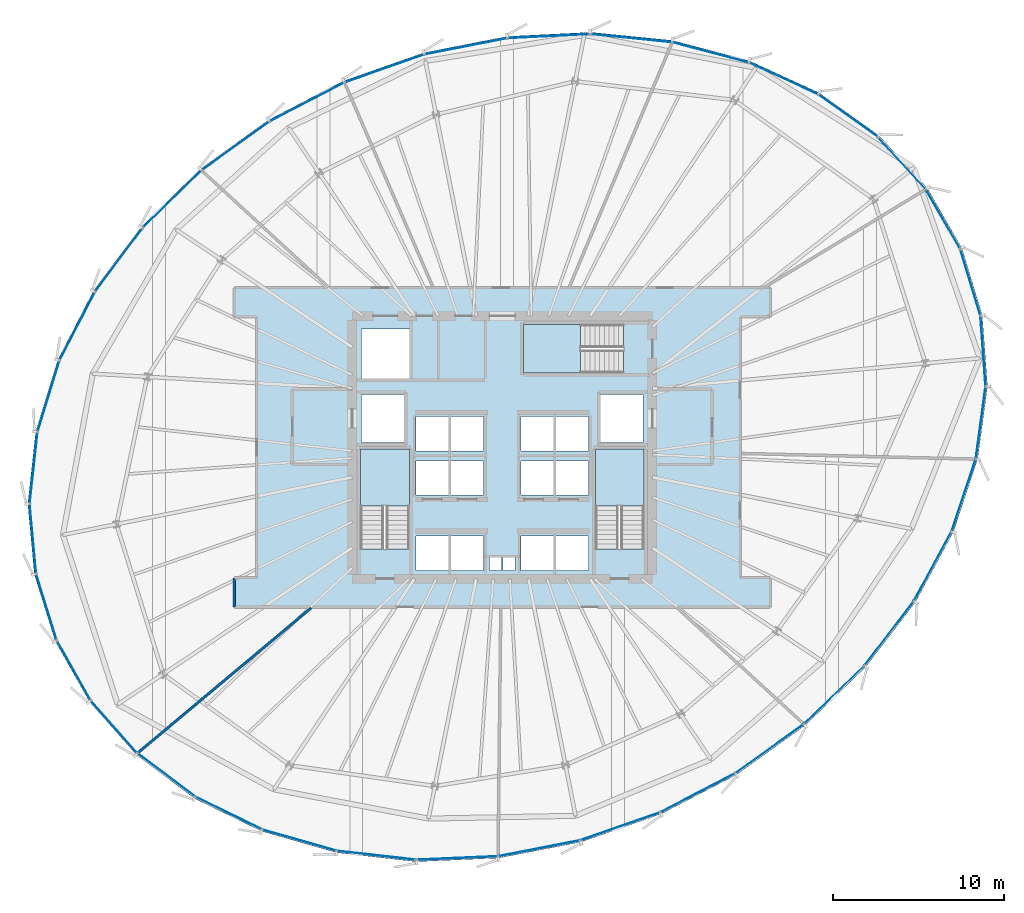
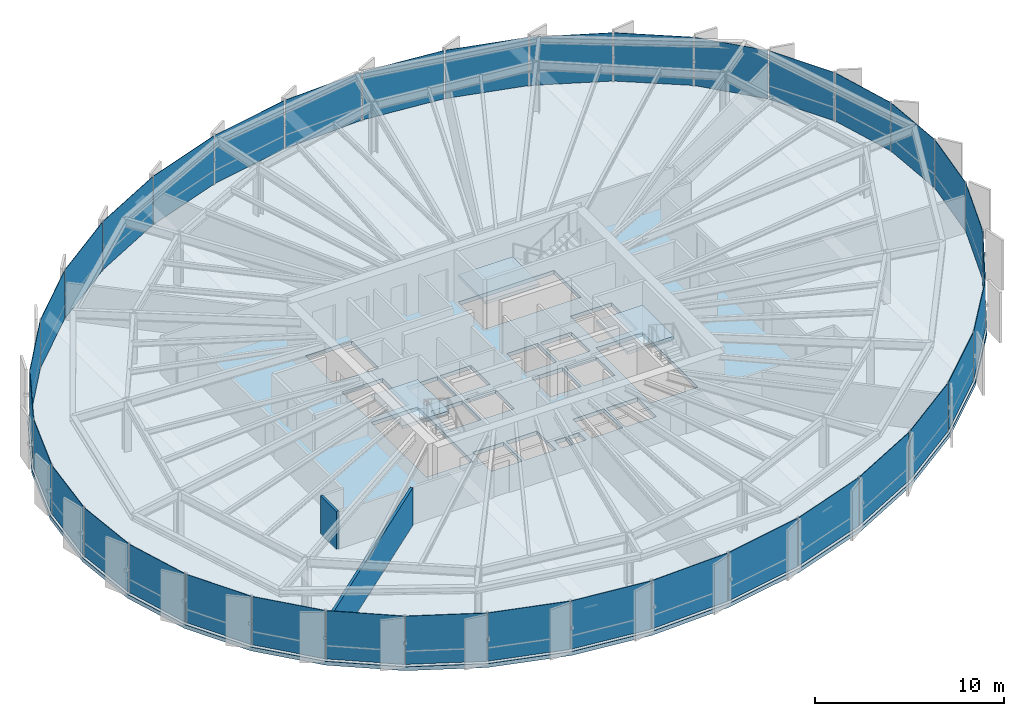
# One storey, part 27 of 34: 36 plates, 4 slabs, 2 walls, 9 elements without a shape of their own.
"""IFC4 building model written with IfcOpenShell, lengths in metres."""

from ifc_helpers import new_model, si_unit, direction, frame, frame_2d, origin, origin_2d, place, context, subcontext, project, spatial, polyline, rectangle, outline, extrude, source, transform, mapped, material, layer, layer_set, type_object, element, aggregate, save


model = new_model("IFC4")

# Units and contexts
model_context = context("Model", 3, precision=1e-05, world=origin(), true_north=direction((0.0, 1.0)))
body_context = subcontext(model_context, "Body", "Model", "MODEL_VIEW")
ifc_project = project(units=[si_unit("LENGTHUNIT", "METRE"), si_unit("AREAUNIT", "SQUARE_METRE"), si_unit("VOLUMEUNIT", "CUBIC_METRE"), si_unit("PLANEANGLEUNIT", "RADIAN"), si_unit("MASSUNIT", "GRAM", prefix="KILO"), si_unit("THERMODYNAMICTEMPERATUREUNIT", "KELVIN")], contexts=[model_context])

# Site, building, storey
site_placement = place(None, origin())
site = spatial("IfcSite", under=ifc_project, at=site_placement, CompositionType="ELEMENT")
building_placement = place(site_placement, origin())
building = spatial("IfcBuilding", under=site, at=building_placement, Name="Kethvar Cultural Tower", CompositionType="ELEMENT")
storey_placement = place(building_placement, frame((0.0, 0.0, 128.800048828125)))
storey = spatial("IfcBuildingStorey", under=building, at=storey_placement, Name="L32", CompositionType="ELEMENT", Elevation=128.800048828125)

# Stair, slab
ifc_material_1 = material(Name="Concrete C40/50", Category="concrete")
stair_type = type_object("IfcStairType", Name="ST-DOGLEG-135", PredefinedType="HALF_TURN_STAIR", material=ifc_material_1)
stair_1_placement = place(storey_placement, origin())
stair_1 = element("IfcStair", 1, at=stair_1_placement, inside=storey, type_object=stair_type, Name="L32 Core Exit Stair 1", PredefinedType="HALF_TURN_STAIR")
ifc_layer_1 = layer(ifc_material_1, 0.199951171875, Name="Concrete C40/50", Category="concrete")
ifc_layer_set_1 = layer_set([ifc_layer_1], Name="Concrete C40/50 (200 mm)")
slab_type_1 = type_object("IfcSlabType", Name="SL-STAIR-LANDING-200", PredefinedType="LANDING", material=ifc_layer_set_1)
slab_1_placement = place(storey_placement, frame((0.0, 0.0, 1.574951171875)))
slab_1 = element("IfcSlab", 2, at=slab_1_placement, type_object=slab_type_1, Name="ST-01 landing 1", PredefinedType="LANDING", context=body_context, shape_type="SweptSolid", body=[
    extrude(outline(polyline([(41.35009765625, 24.3701171875), (41.35009765625, 27.699951171875), (38.489990234375, 27.699951171875), (38.489990234375, 24.3701171875), (41.35009765625, 24.3701171875)])), origin(), (0.0, 0.0, 1.0), 0.199951171875),
])
aggregate(stair_1, [slab_1])

stair_2_placement = place(storey_placement, origin())
stair_2 = element("IfcStair", 3, at=stair_2_placement, inside=storey, type_object=stair_type, Name="L32 Core Exit Stair 2", PredefinedType="HALF_TURN_STAIR")
slab_2_placement = place(storey_placement, frame((0.0, 0.0, 1.574951171875)))
slab_2 = element("IfcSlab", 4, at=slab_2_placement, type_object=slab_type_1, Name="ST-02 landing 1", PredefinedType="LANDING", context=body_context, shape_type="SweptSolid", body=[
    extrude(outline(polyline([(55.110107421875, 24.3701171875), (55.110107421875, 27.699951171875), (52.25, 27.699951171875), (52.25, 24.3701171875), (55.110107421875, 24.3701171875)])), origin(), (0.0, 0.0, 1.0), 0.199951171875),
])
aggregate(stair_2, [slab_2])

stair_3_placement = place(storey_placement, origin())
stair_3 = element("IfcStair", 5, at=stair_3_placement, inside=storey, type_object=stair_type, Name="L32 Core Exit Stair 3", PredefinedType="HALF_TURN_STAIR")
slab_3_placement = place(storey_placement, frame((0.0, 0.0, 1.574951171875)))
slab_3 = element("IfcSlab", 6, at=slab_3_placement, type_object=slab_type_1, Name="ST-03 landing 1", PredefinedType="LANDING", context=body_context, shape_type="SweptSolid", body=[
    extrude(outline(polyline([(51.3798828125, 35.010009765625), (48.050048828125, 35.010009765625), (48.050048828125, 32.14990234375), (51.3798828125, 32.14990234375), (51.3798828125, 35.010009765625)])), origin(), (0.0, 0.0, 1.0), 0.199951171875),
])
aggregate(stair_3, [slab_3])

# Slab
ifc_layer_2 = layer(ifc_material_1, 0.25, Name="Concrete C40/50", Category="concrete")
ifc_layer_set_2 = layer_set([ifc_layer_2], Name="Concrete C40/50 (250 mm)")
slab_type_2 = type_object("IfcSlabType", Name="SL-TOW-250", PredefinedType="FLOOR", material=ifc_layer_set_2)
slab_4_placement = place(storey_placement, frame((0.0, 0.0, -0.25)))
element("IfcSlab", 7, at=slab_4_placement, inside=storey, type_object=slab_type_2, Name="L32 Structural Floor Slab", PredefinedType="FLOOR", context=body_context, shape_type="SweptSolid", body=[
    extrude(outline(polyline([(73.7470703125, 39.4609375), (71.70654296875, 43.00830078125), (68.8798828125, 46.080810546875), (65.364013671875, 48.589599609375), (61.280029296875, 50.46533203125), (56.76904296875, 51.65771484375), (51.983154296875, 52.137451171875), (47.077392578125, 51.89404296875), (42.203369140625, 50.935791015625), (37.501220703125, 49.28857421875), (33.090576171875, 46.992431640625), (29.096435546875, 44.113037109375), (25.640380859375, 40.738037109375), (22.827392578125, 36.969970703125), (20.74267578125, 32.923095703125), (19.44970703125, 28.720703125), (18.987548828125, 24.490234375), (19.37060546875, 20.360595703125), (20.587158203125, 16.456787109375), (22.60009765625, 12.897705078125), (25.348388671875, 9.791259765625), (28.74853515625, 7.232177734375), (32.697021484375, 5.2978515625), (37.07421875, 4.047607421875), (41.74658203125, 3.518798828125), (46.57275390625, 3.727783203125), (51.406005859375, 4.668212890625), (56.098876953125, 6.311279296875), (60.518798828125, 8.611572265625), (64.5537109375, 11.5087890625), (68.08935546875, 14.918212890625), (71.015869140625, 18.7353515625), (73.234619140625, 22.840087890625), (74.662841796875, 27.10107421875), (75.240966796875, 31.381591796875), (74.93603515625, 35.54541015625), (73.7470703125, 39.4609375)]), holes=[polyline([(38.489990234375, 21.85009765625), (38.489990234375, 27.699951171875), (41.35009765625, 27.699951171875), (41.35009765625, 21.85009765625), (38.489990234375, 21.85009765625)]), polyline([(52.25, 21.85009765625), (52.25, 27.699951171875), (55.110107421875, 27.699951171875), (55.110107421875, 21.85009765625), (52.25, 21.85009765625)]), polyline([(53.89990234375, 32.14990234375), (48.050048828125, 32.14990234375), (48.050048828125, 35.010009765625), (53.89990234375, 35.010009765625), (53.89990234375, 32.14990234375)]), polyline([(41.75, 22.60009765625), (43.64990234375, 22.60009765625), (43.64990234375, 20.60009765625), (41.75, 20.60009765625), (41.75, 22.60009765625)]), polyline([(43.800048828125, 22.60009765625), (45.699951171875, 22.60009765625), (45.699951171875, 20.60009765625), (43.800048828125, 20.60009765625), (43.800048828125, 22.60009765625)]), polyline([(47.89990234375, 22.60009765625), (49.800048828125, 22.60009765625), (49.800048828125, 20.60009765625), (47.89990234375, 20.60009765625), (47.89990234375, 22.60009765625)]), polyline([(49.949951171875, 22.60009765625), (51.85009765625, 22.60009765625), (51.85009765625, 20.60009765625), (49.949951171875, 20.60009765625), (49.949951171875, 22.60009765625)]), polyline([(41.75, 27.0), (43.64990234375, 27.0), (43.64990234375, 25.0), (41.75, 25.0), (41.75, 27.0)]), polyline([(43.800048828125, 27.0), (45.699951171875, 27.0), (45.699951171875, 25.0), (43.800048828125, 25.0), (43.800048828125, 27.0)]), polyline([(47.89990234375, 27.0), (49.800048828125, 27.0), (49.800048828125, 25.0), (47.89990234375, 25.0), (47.89990234375, 27.0)]), polyline([(49.949951171875, 27.0), (51.85009765625, 27.0), (51.85009765625, 25.0), (49.949951171875, 25.0), (49.949951171875, 27.0)]), polyline([(41.75, 29.60009765625), (43.64990234375, 29.60009765625), (43.64990234375, 27.60009765625), (41.75, 27.60009765625), (41.75, 29.60009765625)]), polyline([(43.800048828125, 29.60009765625), (45.699951171875, 29.60009765625), (45.699951171875, 27.60009765625), (43.800048828125, 27.60009765625), (43.800048828125, 29.60009765625)]), polyline([(47.89990234375, 29.60009765625), (49.800048828125, 29.60009765625), (49.800048828125, 27.60009765625), (47.89990234375, 27.60009765625), (47.89990234375, 29.60009765625)]), polyline([(49.949951171875, 29.60009765625), (51.85009765625, 29.60009765625), (51.85009765625, 27.60009765625), (49.949951171875, 27.60009765625), (49.949951171875, 29.60009765625)]), polyline([(38.550048828125, 30.89990234375), (41.050048828125, 30.89990234375), (41.050048828125, 28.10009765625), (38.550048828125, 28.10009765625), (38.550048828125, 30.89990234375)]), polyline([(52.550048828125, 30.89990234375), (55.050048828125, 30.89990234375), (55.050048828125, 28.10009765625), (52.550048828125, 28.10009765625), (52.550048828125, 30.89990234375)]), polyline([(38.550048828125, 34.75), (41.35009765625, 34.75), (41.35009765625, 31.85009765625), (38.550048828125, 31.85009765625), (38.550048828125, 34.75)]), polyline([(46.050048828125, 21.35009765625), (46.75, 21.35009765625), (46.75, 20.60009765625), (46.050048828125, 20.60009765625), (46.050048828125, 21.35009765625)]), polyline([(46.85009765625, 21.35009765625), (47.550048828125, 21.35009765625), (47.550048828125, 20.60009765625), (46.85009765625, 20.60009765625), (46.85009765625, 21.35009765625)])]), origin(), (0.0, 0.0, 1.0), 0.25),
])

# Curtain wall, plate
ifc_material_2 = material(Name="Aluminium 6063-T6", Category="aluminium")
ifc_layer_3 = layer(ifc_material_2, 0.179931640625, Name="Aluminium 6063-T6", Category="aluminium")
ifc_layer_set_3 = layer_set([ifc_layer_3], Name="Aluminium 6063-T6 (180 mm)")
curtain_wall_type = type_object("IfcCurtainWallType", Name="CW-SYS-04-Z34", PredefinedType="NOTDEFINED", material=ifc_layer_set_3)
curtain_wall_1_placement = place(storey_placement, origin())
curtain_wall_1 = element("IfcCurtainWall", 8, at=curtain_wall_1_placement, inside=storey, type_object=curtain_wall_type, Name="L32 Curtain Wall Run 01", PredefinedType="NOTDEFINED")
ifc_material_3 = material(Name="Insulated Low-E Solar Glass", Category="glass")
ifc_layer_4 = layer(ifc_material_3, 0.030029296875, Name="Insulated Low-E Solar Glass", Category="glass")
ifc_layer_set_4 = layer_set([ifc_layer_4], Name="Insulated Low-E Solar Glass (30 mm)")
plate_type = type_object("IfcPlateType", Name="CW-SYS-04-Z34-PNL", PredefinedType="CURTAIN_PANEL", material=ifc_layer_set_4)
shared_shape_1 = source(origin(), body_context, "Body", "SweptSolid", [
    extrude(rectangle(XDim=4.005859375, YDim=0.030029296875, at=origin_2d()), origin(), (0.0, 0.0, 1.0), 3.1201171875),
])
plate_1_placement = place(storey_placement, frame((72.63134765625, 41.1796875, 0.08984375), z_axis=(0.0, 0.0, 1.0), x_axis=(-0.498623905426, 0.86681843597, 0.0)))
plate_1 = element("IfcPlate", 9, at=plate_1_placement, type_object=plate_type, Name="CW-L32-R01 Vision Glazing Panel 1", PredefinedType="CURTAIN_PANEL", context=body_context, shape_type="MappedRepresentation", body=[
    mapped(shared_shape_1, transform((0.0, 0.0, 0.0), scale=1.0)),
])

curtain_wall_2_placement = place(storey_placement, origin())
curtain_wall_2 = element("IfcCurtainWall", 10, at=curtain_wall_2_placement, inside=storey, type_object=curtain_wall_type, Name="L32 Curtain Wall Run 06", PredefinedType="NOTDEFINED")
plate_2_placement = place(storey_placement, frame((74.236328125, 37.47119140625, 0.08984375), z_axis=(0.0, 0.0, 1.0), x_axis=(-0.290551894086, 0.956859235647, 0.0)))
plate_2 = element("IfcPlate", 11, at=plate_2_placement, type_object=plate_type, Name="CW-L32-R06 Vision Glazing Panel 6", PredefinedType="CURTAIN_PANEL", context=body_context, shape_type="MappedRepresentation", body=[
    mapped(shared_shape_1, transform((0.0, 0.0, 0.0), scale=1.0)),
])

# Plate
shared_shape_2 = source(origin(), body_context, "Body", "SweptSolid", [
    extrude(rectangle(XDim=4.08837890625, YDim=0.030029296875, at=origin_2d()), origin(), (0.0, 0.0, 1.0), 3.1201171875),
])
plate_3_placement = place(storey_placement, frame((70.21240234375, 44.469970703125, 0.08984375), z_axis=(0.0, 0.0, 1.0), x_axis=(-0.677030122649, 0.735955306405, 0.0)))
plate_3 = element("IfcPlate", 12, at=plate_3_placement, type_object=plate_type, Name="CW-L32-R01 Vision Glazing Panel 2", PredefinedType="CURTAIN_PANEL", context=body_context, shape_type="MappedRepresentation", body=[
    mapped(shared_shape_2, transform((0.0, 0.0, 0.0), scale=1.0)),
])

plate_4_placement = place(storey_placement, frame((74.978759765625, 33.455322265625, 0.08984375), z_axis=(0.0, 0.0, 1.0), x_axis=(-0.073029318467, 0.997329794323, 0.0)))
plate_4 = element("IfcPlate", 13, at=plate_4_placement, type_object=plate_type, Name="CW-L32-R06 Vision Glazing Panel 5", PredefinedType="CURTAIN_PANEL", context=body_context, shape_type="MappedRepresentation", body=[
    mapped(shared_shape_2, transform((0.0, 0.0, 0.0), scale=1.0)),
])

shared_shape_3 = source(origin(), body_context, "Body", "SweptSolid", [
    extrude(rectangle(XDim=4.23291015625, YDim=0.030029296875, at=origin_2d()), origin(), (0.0, 0.0, 1.0), 3.1201171875),
])
plate_5_placement = place(storey_placement, frame((67.05810546875, 47.24560546875, 0.08984375), z_axis=(0.0, 0.0, 1.0), x_axis=(-0.814014154172, 0.580845036828, 0.0)))
plate_5 = element("IfcPlate", 14, at=plate_5_placement, type_object=plate_type, Name="CW-L32-R01 Vision Glazing Panel 3", PredefinedType="CURTAIN_PANEL", context=body_context, shape_type="MappedRepresentation", body=[
    mapped(shared_shape_3, transform((0.0, 0.0, 0.0), scale=1.0)),
])

shared_shape_4 = source(origin(), body_context, "Body", "SweptSolid", [
    extrude(rectangle(XDim=4.40771484375, YDim=0.030029296875, at=origin_2d()), origin(), (0.0, 0.0, 1.0), 3.1201171875),
])
plate_6_placement = place(storey_placement, frame((63.27587890625, 49.427490234375, 0.08984375), z_axis=(0.0, 0.0, 1.0), x_axis=(-0.908734132383, 0.417375462434, 0.0)))
plate_6 = element("IfcPlate", 15, at=plate_6_placement, type_object=plate_type, Name="CW-L32-R01 Vision Glazing Panel 4", PredefinedType="CURTAIN_PANEL", context=body_context, shape_type="MappedRepresentation", body=[
    mapped(shared_shape_4, transform((0.0, 0.0, 0.0), scale=1.0)),
])

plate_7_placement = place(storey_placement, frame((73.844482421875, 25.00537109375, 0.08984375), z_axis=(0.0, 0.0, 1.0), x_axis=(0.317850798961, 0.948140743561, 0.0)))
plate_7 = element("IfcPlate", 16, at=plate_7_placement, type_object=plate_type, Name="CW-L32-R06 Vision Glazing Panel 3", PredefinedType="CURTAIN_PANEL", context=body_context, shape_type="MappedRepresentation", body=[
    mapped(shared_shape_4, transform((0.0, 0.0, 0.0), scale=1.0)),
])

shared_shape_5 = source(origin(), body_context, "Body", "SweptSolid", [
    extrude(rectangle(XDim=4.579345703125, YDim=0.030029296875, at=origin_2d()), origin(), (0.0, 0.0, 1.0), 3.1201171875),
])
plate_8_placement = place(storey_placement, frame((58.996337890625, 50.955078125, 0.08984375), z_axis=(0.0, 0.0, 1.0), x_axis=(-0.966787712224, 0.255580749457, 0.0)))
plate_8 = element("IfcPlate", 17, at=plate_8_placement, type_object=plate_type, Name="CW-L32-R01 Vision Glazing Panel 5", PredefinedType="CURTAIN_PANEL", context=body_context, shape_type="MappedRepresentation", body=[
    mapped(shared_shape_5, transform((0.0, 0.0, 0.0), scale=1.0)),
])

plate_9_placement = place(storey_placement, frame((72.0283203125, 20.840087890625, 0.08984375), z_axis=(0.0, 0.0, 1.0), x_axis=(0.475501382324, 0.879714973959, 0.0)))
plate_9 = element("IfcPlate", 18, at=plate_9_placement, type_object=plate_type, Name="CW-L32-R06 Vision Glazing Panel 2", PredefinedType="CURTAIN_PANEL", context=body_context, shape_type="MappedRepresentation", body=[
    mapped(shared_shape_5, transform((0.0, 0.0, 0.0), scale=1.0)),
])

shared_shape_6 = source(origin(), body_context, "Body", "SweptSolid", [
    extrude(rectangle(XDim=4.723388671875, YDim=0.030029296875, at=origin_2d()), origin(), (0.0, 0.0, 1.0), 3.1201171875),
])
plate_10_placement = place(storey_placement, frame((54.364990234375, 51.7880859375, 0.08984375), z_axis=(0.0, 0.0, 1.0), x_axis=(-0.995013879707, 0.099736548921, 0.0)))
plate_10 = element("IfcPlate", 19, at=plate_10_placement, type_object=plate_type, Name="CW-L32-R01 Vision Glazing Panel 6", PredefinedType="CURTAIN_PANEL", context=body_context, shape_type="MappedRepresentation", body=[
    mapped(shared_shape_6, transform((0.0, 0.0, 0.0), scale=1.0)),
])

aggregate(curtain_wall_1, [plate_1, plate_3, plate_5, plate_6, plate_8, plate_10])

# Curtain wall, plate
curtain_wall_3_placement = place(storey_placement, origin())
curtain_wall_3 = element("IfcCurtainWall", 20, at=curtain_wall_3_placement, inside=storey, type_object=curtain_wall_type, Name="L32 Curtain Wall Run 02", PredefinedType="NOTDEFINED")
shared_shape_7 = source(origin(), body_context, "Body", "SweptSolid", [
    extrude(rectangle(XDim=4.8251953125, YDim=0.030029296875, at=origin_2d()), origin(), (0.0, 0.0, 1.0), 3.1201171875),
])
plate_11_placement = place(storey_placement, frame((49.53564453125, 51.906005859375, 0.08984375), z_axis=(0.0, 0.0, 1.0), x_axis=(-0.998770060241, -0.049581919744, 0.0)))
plate_11 = element("IfcPlate", 21, at=plate_11_placement, type_object=plate_type, Name="CW-L32-R02 Vision Glazing Panel 1", PredefinedType="CURTAIN_PANEL", context=body_context, shape_type="MappedRepresentation", body=[
    mapped(shared_shape_7, transform((0.0, 0.0, 0.0), scale=1.0)),
])

curtain_wall_4_placement = place(storey_placement, origin())
curtain_wall_4 = element("IfcCurtainWall", 22, at=curtain_wall_4_placement, inside=storey, type_object=curtain_wall_type, Name="L32 Curtain Wall Run 05", PredefinedType="NOTDEFINED")
plate_12_placement = place(storey_placement, frame((66.2451171875, 13.29248046875, 0.08984375), z_axis=(0.0, 0.0, 1.0), x_axis=(0.719836703228, 0.694143443883, 0.0)))
plate_12 = element("IfcPlate", 23, at=plate_12_placement, type_object=plate_type, Name="CW-L32-R05 Vision Glazing Panel 6", PredefinedType="CURTAIN_PANEL", context=body_context, shape_type="MappedRepresentation", body=[
    mapped(shared_shape_7, transform((0.0, 0.0, 0.0), scale=1.0)),
])

# Plate
shared_shape_8 = source(origin(), body_context, "Body", "SweptSolid", [
    extrude(rectangle(XDim=4.880859375, YDim=0.030029296875, at=origin_2d()), origin(), (0.0, 0.0, 1.0), 3.1201171875),
])
plate_13_placement = place(storey_placement, frame((44.66162109375, 51.306884765625, 0.08984375), z_axis=(0.0, 0.0, 1.0), x_axis=(-0.981222035096, -0.192881616133, 0.0)))
plate_13 = element("IfcPlate", 24, at=plate_13_placement, type_object=plate_type, Name="CW-L32-R02 Vision Glazing Panel 2", PredefinedType="CURTAIN_PANEL", context=body_context, shape_type="MappedRepresentation", body=[
    mapped(shared_shape_8, transform((0.0, 0.0, 0.0), scale=1.0)),
])

shared_shape_9 = source(origin(), body_context, "Body", "SweptSolid", [
    extrude(rectangle(XDim=4.89599609375, YDim=0.030029296875, at=origin_2d()), origin(), (0.0, 0.0, 1.0), 3.1201171875),
])
plate_14_placement = place(storey_placement, frame((39.888671875, 50.00830078125, 0.08984375), z_axis=(0.0, 0.0, 1.0), x_axis=(-0.943766335022, -0.330613225505, 0.0)))
plate_14 = element("IfcPlate", 25, at=plate_14_placement, type_object=plate_type, Name="CW-L32-R02 Vision Glazing Panel 3", PredefinedType="CURTAIN_PANEL", context=body_context, shape_type="MappedRepresentation", body=[
    mapped(shared_shape_9, transform((0.0, 0.0, 0.0), scale=1.0)),
])

shared_shape_10 = source(origin(), body_context, "Body", "SweptSolid", [
    extrude(rectangle(XDim=4.885986328125, YDim=0.030029296875, at=origin_2d()), origin(), (0.0, 0.0, 1.0), 3.1201171875),
])
plate_15_placement = place(storey_placement, frame((35.3466796875, 48.04296875, 0.08984375), z_axis=(0.0, 0.0, 1.0), x_axis=(-0.886994714571, -0.461779575473, 0.0)))
plate_15 = element("IfcPlate", 26, at=plate_15_placement, type_object=plate_type, Name="CW-L32-R02 Vision Glazing Panel 4", PredefinedType="CURTAIN_PANEL", context=body_context, shape_type="MappedRepresentation", body=[
    mapped(shared_shape_10, transform((0.0, 0.0, 0.0), scale=1.0)),
])

plate_16_placement = place(storey_placement, frame((53.716064453125, 5.593505859375, 0.08984375), z_axis=(0.0, 0.0, 1.0), x_axis=(0.943812488137, 0.330481447644, 0.0)))
plate_16 = element("IfcPlate", 27, at=plate_16_placement, type_object=plate_type, Name="CW-L32-R05 Vision Glazing Panel 3", PredefinedType="CURTAIN_PANEL", context=body_context, shape_type="MappedRepresentation", body=[
    mapped(shared_shape_10, transform((0.0, 0.0, 0.0), scale=1.0)),
])

shared_shape_11 = source(origin(), body_context, "Body", "SweptSolid", [
    extrude(rectangle(XDim=4.83740234375, YDim=0.030029296875, at=origin_2d()), origin(), (0.0, 0.0, 1.0), 3.1201171875),
])
plate_17_placement = place(storey_placement, frame((31.15771484375, 45.46337890625, 0.08984375), z_axis=(0.0, 0.0, 1.0), x_axis=(-0.811176107853, -0.584801951133, 0.0)))
plate_17 = element("IfcPlate", 28, at=plate_17_placement, type_object=plate_type, Name="CW-L32-R02 Vision Glazing Panel 5", PredefinedType="CURTAIN_PANEL", context=body_context, shape_type="MappedRepresentation", body=[
    mapped(shared_shape_11, transform((0.0, 0.0, 0.0), scale=1.0)),
])

plate_18_placement = place(storey_placement, frame((48.968505859375, 4.305908203125, 0.08984375), z_axis=(0.0, 0.0, 1.0), x_axis=(0.98159053266, 0.190997450749, 0.0)))
plate_18 = element("IfcPlate", 29, at=plate_18_placement, type_object=plate_type, Name="CW-L32-R05 Vision Glazing Panel 2", PredefinedType="CURTAIN_PANEL", context=body_context, shape_type="MappedRepresentation", body=[
    mapped(shared_shape_11, transform((0.0, 0.0, 0.0), scale=1.0)),
])

shared_shape_12 = source(origin(), body_context, "Body", "SweptSolid", [
    extrude(rectangle(XDim=4.744140625, YDim=0.030029296875, at=origin_2d()), origin(), (0.0, 0.0, 1.0), 3.1201171875),
])
plate_19_placement = place(storey_placement, frame((27.4453125, 42.3466796875, 0.08984375), z_axis=(0.0, 0.0, 1.0), x_axis=(-0.715436703066, -0.698677553601, 0.0)))
plate_19 = element("IfcPlate", 30, at=plate_19_placement, type_object=plate_type, Name="CW-L32-R02 Vision Glazing Panel 6", PredefinedType="CURTAIN_PANEL", context=body_context, shape_type="MappedRepresentation", body=[
    mapped(shared_shape_12, transform((0.0, 0.0, 0.0), scale=1.0)),
])

aggregate(curtain_wall_3, [plate_11, plate_13, plate_14, plate_15, plate_17, plate_19])

plate_20_placement = place(storey_placement, frame((44.155029296875, 3.733154296875, 0.08984375), z_axis=(0.0, 0.0, 1.0), x_axis=(0.999063386755, 0.043270651098, 0.0)))
plate_20 = element("IfcPlate", 31, at=plate_20_placement, type_object=plate_type, Name="CW-L32-R05 Vision Glazing Panel 1", PredefinedType="CURTAIN_PANEL", context=body_context, shape_type="MappedRepresentation", body=[
    mapped(shared_shape_12, transform((0.0, 0.0, 0.0), scale=1.0)),
])

# Curtain wall, plate
curtain_wall_5_placement = place(storey_placement, origin())
curtain_wall_5 = element("IfcCurtainWall", 32, at=curtain_wall_5_placement, inside=storey, type_object=curtain_wall_type, Name="L32 Curtain Wall Run 03", PredefinedType="NOTDEFINED")
shared_shape_13 = source(origin(), body_context, "Body", "SweptSolid", [
    extrude(rectangle(XDim=4.615966796875, YDim=0.030029296875, at=origin_2d()), origin(), (0.0, 0.0, 1.0), 3.1201171875),
])
plate_21_placement = place(storey_placement, frame((24.322021484375, 38.7880859375, 0.08984375), z_axis=(0.0, 0.0, 1.0), x_axis=(-0.598240690187, -0.801316464703, 0.0)))
plate_21 = element("IfcPlate", 33, at=plate_21_placement, type_object=plate_type, Name="CW-L32-R03 Vision Glazing Panel 1", PredefinedType="CURTAIN_PANEL", context=body_context, shape_type="MappedRepresentation", body=[
    mapped(shared_shape_13, transform((0.0, 0.0, 0.0), scale=1.0)),
])

curtain_wall_6_placement = place(storey_placement, origin())
curtain_wall_6 = element("IfcCurtainWall", 34, at=curtain_wall_6_placement, inside=storey, type_object=curtain_wall_type, Name="L32 Curtain Wall Run 04", PredefinedType="NOTDEFINED")
plate_22_placement = place(storey_placement, frame((39.422607421875, 3.892333984375, 0.08984375), z_axis=(0.0, 0.0, 1.0), x_axis=(0.993656533919, -0.112457514648, 0.0)))
plate_22 = element("IfcPlate", 35, at=plate_22_placement, type_object=plate_type, Name="CW-L32-R04 Vision Glazing Panel 6", PredefinedType="CURTAIN_PANEL", context=body_context, shape_type="MappedRepresentation", body=[
    mapped(shared_shape_13, transform((0.0, 0.0, 0.0), scale=1.0)),
])

# Plate
shared_shape_14 = source(origin(), body_context, "Body", "SweptSolid", [
    extrude(rectangle(XDim=4.4658203125, YDim=0.030029296875, at=origin_2d()), origin(), (0.0, 0.0, 1.0), 3.1201171875),
])
plate_23_placement = place(storey_placement, frame((21.8828125, 34.89599609375, 0.08984375), z_axis=(0.0, 0.0, 1.0), x_axis=(-0.457951494755, -0.888977181064, 0.0)))
plate_23 = element("IfcPlate", 36, at=plate_23_placement, type_object=plate_type, Name="CW-L32-R03 Vision Glazing Panel 2", PredefinedType="CURTAIN_PANEL", context=body_context, shape_type="MappedRepresentation", body=[
    mapped(shared_shape_14, transform((0.0, 0.0, 0.0), scale=1.0)),
])

plate_24_placement = place(storey_placement, frame((34.916015625, 4.7783203125, 0.08984375), z_axis=(0.0, 0.0, 1.0), x_axis=(0.961535434638, -0.274680920226, 0.0)))
plate_24 = element("IfcPlate", 37, at=plate_24_placement, type_object=plate_type, Name="CW-L32-R04 Vision Glazing Panel 5", PredefinedType="CURTAIN_PANEL", context=body_context, shape_type="MappedRepresentation", body=[
    mapped(shared_shape_14, transform((0.0, 0.0, 0.0), scale=1.0)),
])

shared_shape_15 = source(origin(), body_context, "Body", "SweptSolid", [
    extrude(rectangle(XDim=4.310546875, YDim=0.030029296875, at=origin_2d()), origin(), (0.0, 0.0, 1.0), 3.1201171875),
])
plate_25_placement = place(storey_placement, frame((20.201171875, 30.78955078125, 0.08984375), z_axis=(0.0, 0.0, 1.0), x_axis=(-0.294073688523, -0.955782750272, 0.0)))
plate_25 = element("IfcPlate", 38, at=plate_25_placement, type_object=plate_type, Name="CW-L32-R03 Vision Glazing Panel 3", PredefinedType="CURTAIN_PANEL", context=body_context, shape_type="MappedRepresentation", body=[
    mapped(shared_shape_15, transform((0.0, 0.0, 0.0), scale=1.0)),
])

plate_26_placement = place(storey_placement, frame((30.771240234375, 6.36376953125, 0.08984375), z_axis=(0.0, 0.0, 1.0), x_axis=(0.898042931988, -0.439907822512, 0.0)))
plate_26 = element("IfcPlate", 39, at=plate_26_placement, type_object=plate_type, Name="CW-L32-R04 Vision Glazing Panel 4", PredefinedType="CURTAIN_PANEL", context=body_context, shape_type="MappedRepresentation", body=[
    mapped(shared_shape_15, transform((0.0, 0.0, 0.0), scale=1.0)),
])

shared_shape_16 = source(origin(), body_context, "Body", "SweptSolid", [
    extrude(rectangle(XDim=4.169189453125, YDim=0.030029296875, at=origin_2d()), origin(), (0.0, 0.0, 1.0), 3.1201171875),
])
plate_27_placement = place(storey_placement, frame((19.327880859375, 26.593505859375, 0.08984375), z_axis=(0.0, 0.0, 1.0), x_axis=(-0.108571927611, -0.994088595918, 0.0)))
plate_27 = element("IfcPlate", 40, at=plate_27_placement, type_object=plate_type, Name="CW-L32-R03 Vision Glazing Panel 4", PredefinedType="CURTAIN_PANEL", context=body_context, shape_type="MappedRepresentation", body=[
    mapped(shared_shape_16, transform((0.0, 0.0, 0.0), scale=1.0)),
])

plate_28_placement = place(storey_placement, frame((27.114501953125, 8.599609375, 0.08984375), z_axis=(0.0, 0.0, 1.0), x_axis=(0.798971502388, -0.6013688871, 0.0)))
plate_28 = element("IfcPlate", 41, at=plate_28_placement, type_object=plate_type, Name="CW-L32-R04 Vision Glazing Panel 3", PredefinedType="CURTAIN_PANEL", context=body_context, shape_type="MappedRepresentation", body=[
    mapped(shared_shape_16, transform((0.0, 0.0, 0.0), scale=1.0)),
])

shared_shape_17 = source(origin(), body_context, "Body", "SweptSolid", [
    extrude(rectangle(XDim=4.06103515625, YDim=0.030029296875, at=origin_2d()), origin(), (0.0, 0.0, 1.0), 3.1201171875),
])
plate_29_placement = place(storey_placement, frame((19.28857421875, 22.435546875, 0.08984375), z_axis=(0.0, 0.0, 1.0), x_axis=(0.092370587447, -0.995724698185, 0.0)))
plate_29 = element("IfcPlate", 42, at=plate_29_placement, type_object=plate_type, Name="CW-L32-R03 Vision Glazing Panel 5", PredefinedType="CURTAIN_PANEL", context=body_context, shape_type="MappedRepresentation", body=[
    mapped(shared_shape_17, transform((0.0, 0.0, 0.0), scale=1.0)),
])

plate_30_placement = place(storey_placement, frame((24.056640625, 11.417236328125, 0.08984375), z_axis=(0.0, 0.0, 1.0), x_axis=(0.662620048216, -0.748955720789, 0.0)))
plate_30 = element("IfcPlate", 43, at=plate_30_placement, type_object=plate_type, Name="CW-L32-R04 Vision Glazing Panel 2", PredefinedType="CURTAIN_PANEL", context=body_context, shape_type="MappedRepresentation", body=[
    mapped(shared_shape_17, transform((0.0, 0.0, 0.0), scale=1.0)),
])

shared_shape_18 = source(origin(), body_context, "Body", "SweptSolid", [
    extrude(rectangle(XDim=4.00244140625, YDim=0.030029296875, at=origin_2d()), origin(), (0.0, 0.0, 1.0), 3.1201171875),
])
plate_31_placement = place(storey_placement, frame((20.083984375, 18.44140625, 0.08984375), z_axis=(0.0, 0.0, 1.0), x_axis=(0.297508180935, -0.954719268831, 0.0)))
plate_31 = element("IfcPlate", 44, at=plate_31_placement, type_object=plate_type, Name="CW-L32-R03 Vision Glazing Panel 6", PredefinedType="CURTAIN_PANEL", context=body_context, shape_type="MappedRepresentation", body=[
    mapped(shared_shape_18, transform((0.0, 0.0, 0.0), scale=1.0)),
])

aggregate(curtain_wall_5, [plate_21, plate_23, plate_25, plate_27, plate_29, plate_31])

shared_shape_19 = source(origin(), body_context, "Body", "SweptSolid", [
    extrude(rectangle(XDim=4.002685546875, YDim=0.030029296875, at=origin_2d()), origin(), (0.0, 0.0, 1.0), 3.1201171875),
])
plate_32_placement = place(storey_placement, frame((21.689453125, 14.731201171875, 0.08984375), z_axis=(0.0, 0.0, 1.0), x_axis=(0.492302030723, -0.870424442755, 0.0)))
plate_32 = element("IfcPlate", 45, at=plate_32_placement, type_object=plate_type, Name="CW-L32-R04 Vision Glazing Panel 1", PredefinedType="CURTAIN_PANEL", context=body_context, shape_type="MappedRepresentation", body=[
    mapped(shared_shape_19, transform((0.0, 0.0, 0.0), scale=1.0)),
])

aggregate(curtain_wall_6, [plate_32, plate_30, plate_28, plate_26, plate_24, plate_22])

shared_shape_20 = source(origin(), body_context, "Body", "SweptSolid", [
    extrude(rectangle(XDim=4.896240234375, YDim=0.030029296875, at=origin_2d()), origin(), (0.0, 0.0, 1.0), 3.1201171875),
])
plate_33_placement = place(storey_placement, frame((58.258056640625, 7.55908203125, 0.08984375), z_axis=(0.0, 0.0, 1.0), x_axis=(0.887059182516, 0.461655723146, 0.0)))
plate_33 = element("IfcPlate", 46, at=plate_33_placement, type_object=plate_type, Name="CW-L32-R05 Vision Glazing Panel 4", PredefinedType="CURTAIN_PANEL", context=body_context, shape_type="MappedRepresentation", body=[
    mapped(shared_shape_20, transform((0.0, 0.0, 0.0), scale=1.0)),
])

shared_shape_21 = source(origin(), body_context, "Body", "SweptSolid", [
    extrude(rectangle(XDim=4.881103515625, YDim=0.030029296875, at=origin_2d()), origin(), (0.0, 0.0, 1.0), 3.1201171875),
])
plate_34_placement = place(storey_placement, frame((62.471923828125, 10.1494140625, 0.08984375), z_axis=(0.0, 0.0, 1.0), x_axis=(0.812307530762, 0.583229350657, 0.0)))
plate_34 = element("IfcPlate", 47, at=plate_34_placement, type_object=plate_type, Name="CW-L32-R05 Vision Glazing Panel 5", PredefinedType="CURTAIN_PANEL", context=body_context, shape_type="MappedRepresentation", body=[
    mapped(shared_shape_21, transform((0.0, 0.0, 0.0), scale=1.0)),
])

aggregate(curtain_wall_4, [plate_20, plate_18, plate_16, plate_33, plate_34, plate_12])

shared_shape_22 = source(origin(), body_context, "Body", "SweptSolid", [
    extrude(rectangle(XDim=4.7236328125, YDim=0.030029296875, at=origin_2d()), origin(), (0.0, 0.0, 1.0), 3.1201171875),
])
plate_35_placement = place(storey_placement, frame((69.46533203125, 16.893798828125, 0.08984375), z_axis=(0.0, 0.0, 1.0), x_axis=(0.608429056542, 0.793608268074, 0.0)))
plate_35 = element("IfcPlate", 48, at=plate_35_placement, type_object=plate_type, Name="CW-L32-R06 Vision Glazing Panel 1", PredefinedType="CURTAIN_PANEL", context=body_context, shape_type="MappedRepresentation", body=[
    mapped(shared_shape_22, transform((0.0, 0.0, 0.0), scale=1.0)),
])

shared_shape_23 = source(origin(), body_context, "Body", "SweptSolid", [
    extrude(rectangle(XDim=4.233154296875, YDim=0.030029296875, at=origin_2d()), origin(), (0.0, 0.0, 1.0), 3.1201171875),
])
plate_36_placement = place(storey_placement, frame((74.843017578125, 29.256103515625, 0.08984375), z_axis=(0.0, 0.0, 1.0), x_axis=(0.133813224182, 0.991006569622, 0.0)))
plate_36 = element("IfcPlate", 49, at=plate_36_placement, type_object=plate_type, Name="CW-L32-R06 Vision Glazing Panel 4", PredefinedType="CURTAIN_PANEL", context=body_context, shape_type="MappedRepresentation", body=[
    mapped(shared_shape_23, transform((0.0, 0.0, 0.0), scale=1.0)),
])

aggregate(curtain_wall_2, [plate_35, plate_9, plate_7, plate_36, plate_4, plate_2])

# Walls
ifc_material_4 = material(Name="Gypsum Fireboard Partition")
ifc_layer_5 = layer(ifc_material_4, 0.14990234375, Name="Gypsum Fireboard Partition")
ifc_layer_set_5 = layer_set([ifc_layer_5], Name="Gypsum Fireboard Partition (150 mm)")
wall_type_1 = type_object("IfcWallType", Name="WL-FIRE-150", PredefinedType="PARTITIONING", material=ifc_layer_set_5)
wall_1_placement = place(storey_placement, frame((31.10009765625, 20.14990234375, 0.0), z_axis=(0.0, 0.0, 1.0), x_axis=(0.0, -1.0, 0.0)))
element("IfcWall", 50, at=wall_1_placement, inside=storey, type_object=wall_type_1, Name="L32 Corridor Rated Wall WS", PredefinedType="PARTITIONING", context=body_context, shape_type="SweptSolid", body=[
    extrude(rectangle(XDim=1.699951171875, YDim=0.14990234375, at=frame_2d((0.85009765625, 0.0))), origin(), (0.0, 0.0, 1.0), 2.445068359375),
])
ifc_material_5 = material(Name="Gypsum Acoustic Partition")
ifc_layer_6 = layer(ifc_material_5, 0.14990234375, Name="Gypsum Acoustic Partition")
ifc_layer_set_6 = layer_set([ifc_layer_6], Name="Gypsum Acoustic Partition (150 mm)")
wall_type_2 = type_object("IfcWallType", Name="WL-PART-150", PredefinedType="PARTITIONING", material=ifc_layer_set_6)
wall_2_placement = place(storey_placement, frame((35.60107421875, 18.398681640625, 0.0), z_axis=(0.0, 0.0, 1.0), x_axis=(-0.767084328757, -0.641546282489, 0.0)))
element("IfcWall", 51, at=wall_2_placement, inside=storey, type_object=wall_type_2, Name="L32 Radial Partition Wall 01", PredefinedType="PARTITIONING", context=body_context, shape_type="SweptSolid", body=[
    extrude(rectangle(XDim=13.1796875, YDim=0.14990234375, at=frame_2d((6.58984375, 0.0))), origin(), (0.0, 0.0, 1.0), 2.445068359375),
])

save(model, "model.ifc")
